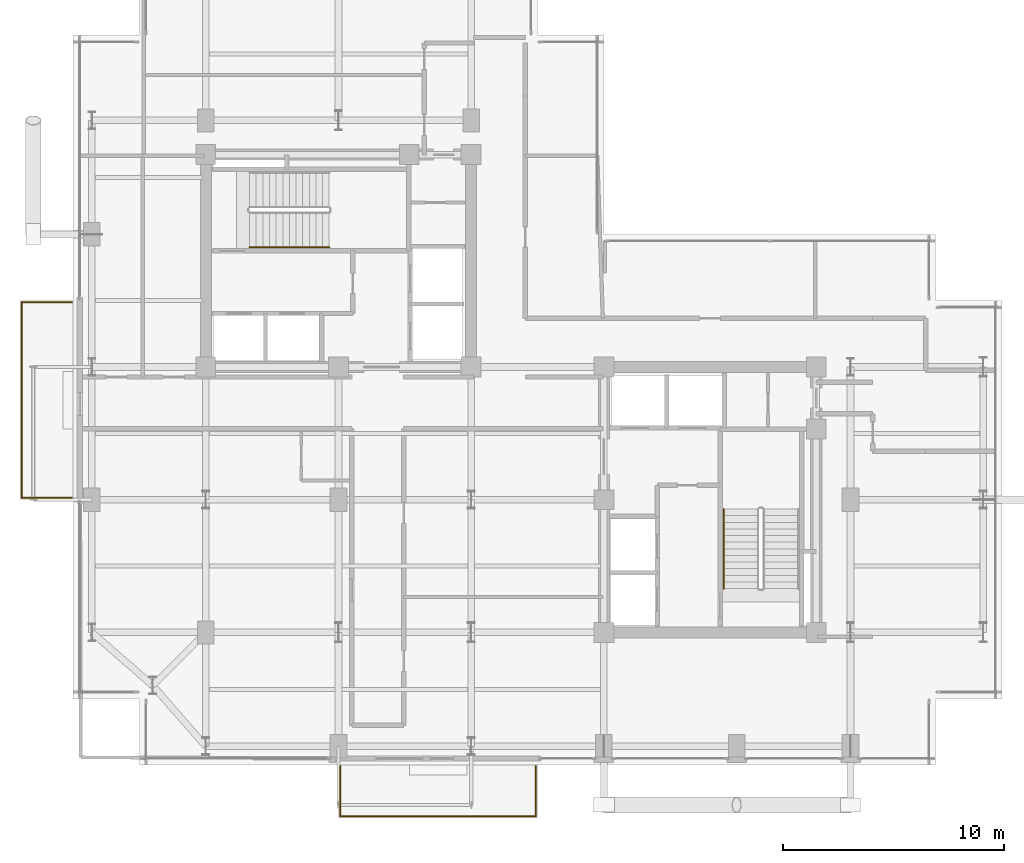
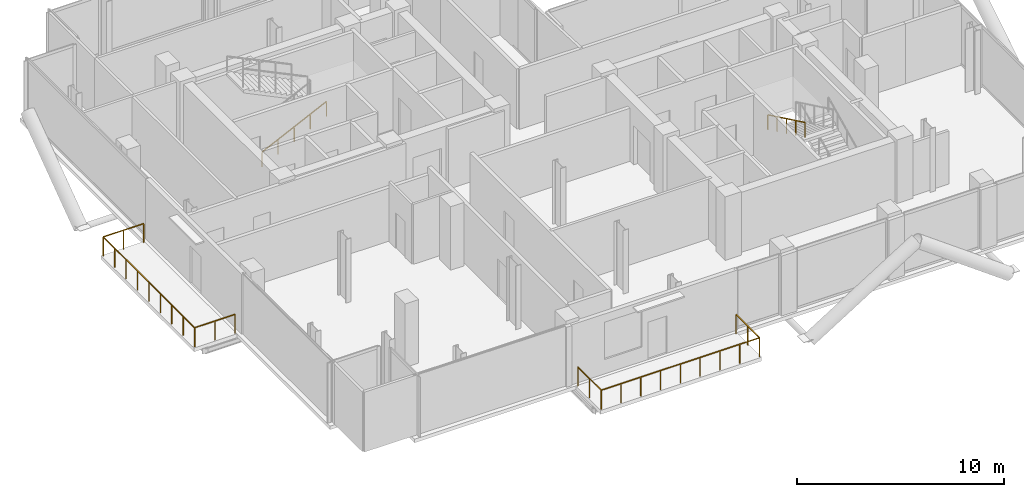
# One storey, part 20 of 21: 4 railings.
"""IFC4 building model written with IfcOpenShell, lengths in metres."""

from ifc_helpers import new_model, si_unit, direction, frame, origin, origin_2d, place, context, subcontext, project, spatial, rectangle, extrude, material, type_object, element, save


model = new_model("IFC4")

# Units and contexts
model_context = context("Model", 3, precision=1e-05, world=origin(), true_north=direction((0.0, 1.0)))
body_context = subcontext(model_context, "Body", "Model", "MODEL_VIEW")
ifc_project = project(units=[si_unit("LENGTHUNIT", "METRE"), si_unit("AREAUNIT", "SQUARE_METRE"), si_unit("VOLUMEUNIT", "CUBIC_METRE"), si_unit("PLANEANGLEUNIT", "RADIAN"), si_unit("MASSUNIT", "GRAM", prefix="KILO"), si_unit("THERMODYNAMICTEMPERATUREUNIT", "KELVIN"), si_unit("POWERUNIT", "WATT")], contexts=[model_context])

# Site, building, storey
site_placement = place(None, origin())
site = spatial("IfcSite", under=ifc_project, at=site_placement, CompositionType="ELEMENT")
building_placement = place(site_placement, origin())
building = spatial("IfcBuilding", under=site, at=building_placement, Name="Svarakhadi Broadcast Tower", CompositionType="ELEMENT")
storey_placement = place(building_placement, frame((0.0, 0.0, 223.64990234375)))
storey = spatial("IfcBuildingStorey", under=building, at=storey_placement, Name="L55", CompositionType="ELEMENT", Elevation=223.64990234375)

# Railings
ifc_material_1 = material(Name="Laminated Structural SentryGlas Balustrade 25.5 mm", Category="glass")
railing_type_1 = type_object("IfcRailingType", Name="Guard_Balcony_GR01", PredefinedType="BALUSTRADE", material=ifc_material_1)
railing_1_placement = place(storey_placement, frame((12.080078125, -0.06005859375, 0.0)))
element("IfcRailing", 1, at=railing_1_placement, inside=storey, type_object=railing_type_1, Name="L55 South Tree Balcony Guard GR-05", PredefinedType="BALUSTRADE", context=body_context, shape_type="SweptSolid", body=[
    extrude(rectangle(XDim=0.048095703125, YDim=0.048095703125, at=origin_2d()), frame((0.0, 0.0, 1.1259765625), z_axis=(0.0, -1.0, 0.0), x_axis=(1.0, 0.0, 0.0)), (0.0, 0.0, 1.0), 2.260009765625),
    extrude(rectangle(XDim=0.048095703125, YDim=0.048095703125, at=origin_2d()), frame((0.0, -2.260009765625, 1.1259765625), z_axis=(1.0, 0.0, 0.0), x_axis=(0.0, 1.0, 0.0)), (0.0, 0.0, 1.0), 8.83984375),
    extrude(rectangle(XDim=0.048095703125, YDim=0.048095703125, at=origin_2d()), frame((8.83984375, -2.260009765625, 1.1259765625), z_axis=(0.0, 1.0, 0.0), x_axis=(-1.0, 0.0, 0.0)), (0.0, 0.0, 1.0), 2.260009765625),
    extrude(rectangle(XDim=0.0419921875, YDim=0.0419921875, at=origin_2d()), origin(), (0.0, 0.0, 1.0), 1.101806640625),
    extrude(rectangle(XDim=0.0419921875, YDim=0.0419921875, at=origin_2d()), frame((0.0, -1.1298828125, 0.0)), (0.0, 0.0, 1.0), 1.101806640625),
    extrude(rectangle(XDim=0.0419921875, YDim=0.0419921875, at=origin_2d()), frame((0.0, -2.260009765625, 0.0)), (0.0, 0.0, 1.0), 1.101806640625),
    extrude(rectangle(XDim=0.0419921875, YDim=0.0419921875, at=origin_2d()), frame((1.10498046875, -2.260009765625, 0.0)), (0.0, 0.0, 1.0), 1.101806640625),
    extrude(rectangle(XDim=0.0419921875, YDim=0.0419921875, at=origin_2d()), frame((2.2099609375, -2.260009765625, 0.0)), (0.0, 0.0, 1.0), 1.101806640625),
    extrude(rectangle(XDim=0.0419921875, YDim=0.0419921875, at=origin_2d()), frame((3.31494140625, -2.260009765625, 0.0)), (0.0, 0.0, 1.0), 1.101806640625),
    extrude(rectangle(XDim=0.0419921875, YDim=0.0419921875, at=origin_2d()), frame((4.419921875, -2.260009765625, 0.0)), (0.0, 0.0, 1.0), 1.101806640625),
    extrude(rectangle(XDim=0.0419921875, YDim=0.0419921875, at=origin_2d()), frame((5.52490234375, -2.260009765625, 0.0)), (0.0, 0.0, 1.0), 1.101806640625),
    extrude(rectangle(XDim=0.0419921875, YDim=0.0419921875, at=origin_2d()), frame((6.6298828125, -2.260009765625, 0.0)), (0.0, 0.0, 1.0), 1.101806640625),
    extrude(rectangle(XDim=0.0419921875, YDim=0.0419921875, at=origin_2d()), frame((7.73486328125, -2.260009765625, 0.0)), (0.0, 0.0, 1.0), 1.101806640625),
    extrude(rectangle(XDim=0.0419921875, YDim=0.0419921875, at=origin_2d()), frame((8.83984375, -2.260009765625, 0.0)), (0.0, 0.0, 1.0), 1.101806640625),
    extrude(rectangle(XDim=0.0419921875, YDim=0.0419921875, at=origin_2d()), frame((8.83984375, -1.1298828125, 0.0)), (0.0, 0.0, 1.0), 1.101806640625),
    extrude(rectangle(XDim=0.0419921875, YDim=0.0419921875, at=origin_2d()), frame((8.83984375, 0.0, 0.0)), (0.0, 0.0, 1.0), 1.101806640625),
])
railing_2_placement = place(storey_placement, frame((-0.06005859375, 12.080078125, 0.0)))
element("IfcRailing", 2, at=railing_2_placement, inside=storey, type_object=railing_type_1, Name="L55 West Tree Balcony Guard GR-05", PredefinedType="BALUSTRADE", context=body_context, shape_type="SweptSolid", body=[
    extrude(rectangle(XDim=0.048095703125, YDim=0.048095703125, at=origin_2d()), frame((0.0, 0.0, 1.1259765625), z_axis=(-1.0, 0.0, 0.0), x_axis=(0.0, -1.0, 0.0)), (0.0, 0.0, 1.0), 2.260009765625),
    extrude(rectangle(XDim=0.048095703125, YDim=0.048095703125, at=origin_2d()), frame((-2.260009765625, 0.0, 1.1259765625), z_axis=(0.0, 1.0, 0.0), x_axis=(-1.0, 0.0, 0.0)), (0.0, 0.0, 1.0), 8.83984375),
    extrude(rectangle(XDim=0.048095703125, YDim=0.048095703125, at=origin_2d()), frame((-2.260009765625, 8.83984375, 1.1259765625), z_axis=(1.0, 0.0, 0.0), x_axis=(0.0, 1.0, 0.0)), (0.0, 0.0, 1.0), 2.260009765625),
    extrude(rectangle(XDim=0.0419921875, YDim=0.0419921875, at=origin_2d()), origin(), (0.0, 0.0, 1.0), 1.101806640625),
    extrude(rectangle(XDim=0.0419921875, YDim=0.0419921875, at=origin_2d()), frame((-1.1298828125, 0.0, 0.0)), (0.0, 0.0, 1.0), 1.101806640625),
    extrude(rectangle(XDim=0.0419921875, YDim=0.0419921875, at=origin_2d()), frame((-2.260009765625, 0.0, 0.0)), (0.0, 0.0, 1.0), 1.101806640625),
    extrude(rectangle(XDim=0.0419921875, YDim=0.0419921875, at=origin_2d()), frame((-2.260009765625, 1.10498046875, 0.0)), (0.0, 0.0, 1.0), 1.101806640625),
    extrude(rectangle(XDim=0.0419921875, YDim=0.0419921875, at=origin_2d()), frame((-2.260009765625, 2.2099609375, 0.0)), (0.0, 0.0, 1.0), 1.101806640625),
    extrude(rectangle(XDim=0.0419921875, YDim=0.0419921875, at=origin_2d()), frame((-2.260009765625, 3.31494140625, 0.0)), (0.0, 0.0, 1.0), 1.101806640625),
    extrude(rectangle(XDim=0.0419921875, YDim=0.0419921875, at=origin_2d()), frame((-2.260009765625, 4.419921875, 0.0)), (0.0, 0.0, 1.0), 1.101806640625),
    extrude(rectangle(XDim=0.0419921875, YDim=0.0419921875, at=origin_2d()), frame((-2.260009765625, 5.52490234375, 0.0)), (0.0, 0.0, 1.0), 1.101806640625),
    extrude(rectangle(XDim=0.0419921875, YDim=0.0419921875, at=origin_2d()), frame((-2.260009765625, 6.6298828125, 0.0)), (0.0, 0.0, 1.0), 1.101806640625),
    extrude(rectangle(XDim=0.0419921875, YDim=0.0419921875, at=origin_2d()), frame((-2.260009765625, 7.73486328125, 0.0)), (0.0, 0.0, 1.0), 1.101806640625),
    extrude(rectangle(XDim=0.0419921875, YDim=0.0419921875, at=origin_2d()), frame((-2.260009765625, 8.83984375, 0.0)), (0.0, 0.0, 1.0), 1.101806640625),
    extrude(rectangle(XDim=0.0419921875, YDim=0.0419921875, at=origin_2d()), frame((-1.1298828125, 8.83984375, 0.0)), (0.0, 0.0, 1.0), 1.101806640625),
    extrude(rectangle(XDim=0.0419921875, YDim=0.0419921875, at=origin_2d()), frame((0.0, 8.83984375, 0.0)), (0.0, 0.0, 1.0), 1.101806640625),
])
ifc_material_2 = material(Name="Anodised Bronze Aluminium AA 6063-T6", Category="aluminium")
railing_type_2 = type_object("IfcRailingType", Name="Handrail_Stair_HR01", PredefinedType="HANDRAIL", material=ifc_material_2)
railing_3_placement = place(storey_placement, frame((7.97998046875, 23.409912109375, 0.144287109375)))
element("IfcRailing", 3, at=railing_3_placement, inside=storey, type_object=railing_type_2, Name="L55 ST-01 stair handrail 1", PredefinedType="HANDRAIL", context=body_context, shape_type="SweptSolid", body=[
    extrude(rectangle(XDim=0.048095703125, YDim=0.048095703125, at=origin_2d()), frame((0.0, 0.0, 0.8759765625), z_axis=(0.901262522062, 0.0, 0.433273431364), x_axis=(0.0, 1.0, 0.0)), (0.0, 0.0, 1.0), 3.994384765625),
    extrude(rectangle(XDim=0.0419921875, YDim=0.0419921875, at=origin_2d()), origin(), (0.0, 0.0, 1.0), 0.851806640625),
    extrude(rectangle(XDim=0.0419921875, YDim=0.0419921875, at=origin_2d()), frame((0.89990234375, 0.0, 0.4326171875)), (0.0, 0.0, 1.0), 0.851806640625),
    extrude(rectangle(XDim=0.0419921875, YDim=0.0419921875, at=origin_2d()), frame((1.800048828125, 0.0, 0.865234375)), (0.0, 0.0, 1.0), 0.851806640625),
    extrude(rectangle(XDim=0.0419921875, YDim=0.0419921875, at=origin_2d()), frame((2.7001953125, 0.0, 1.298095703125)), (0.0, 0.0, 1.0), 0.851806640625),
    extrude(rectangle(XDim=0.0419921875, YDim=0.0419921875, at=origin_2d()), frame((3.60009765625, 0.0, 1.730712890625)), (0.0, 0.0, 1.0), 0.851806640625),
])
railing_4_placement = place(storey_placement, frame((29.409912109375, 11.580078125, 2.019287109375)))
element("IfcRailing", 4, at=railing_4_placement, inside=storey, type_object=railing_type_2, Name="L55 ST-02 stair handrail 2", PredefinedType="HANDRAIL", context=body_context, shape_type="SweptSolid", body=[
    extrude(rectangle(XDim=0.048095703125, YDim=0.048095703125, at=origin_2d()), frame((0.0, 0.0, 0.8759765625), z_axis=(0.0, -0.901262522062, 0.433273431364), x_axis=(1.0, 0.0, 0.0)), (0.0, 0.0, 1.0), 3.994384765625),
    extrude(rectangle(XDim=0.0419921875, YDim=0.0419921875, at=origin_2d()), origin(), (0.0, 0.0, 1.0), 0.851806640625),
    extrude(rectangle(XDim=0.0419921875, YDim=0.0419921875, at=origin_2d()), frame((0.0, -0.89990234375, 0.4326171875)), (0.0, 0.0, 1.0), 0.851806640625),
    extrude(rectangle(XDim=0.0419921875, YDim=0.0419921875, at=origin_2d()), frame((0.0, -1.800048828125, 0.865234375)), (0.0, 0.0, 1.0), 0.851806640625),
    extrude(rectangle(XDim=0.0419921875, YDim=0.0419921875, at=origin_2d()), frame((0.0, -2.7001953125, 1.298095703125)), (0.0, 0.0, 1.0), 0.851806640625),
    extrude(rectangle(XDim=0.0419921875, YDim=0.0419921875, at=origin_2d()), frame((0.0, -3.60009765625, 1.730712890625)), (0.0, 0.0, 1.0), 0.851806640625),
])

save(model, "model.ifc")
